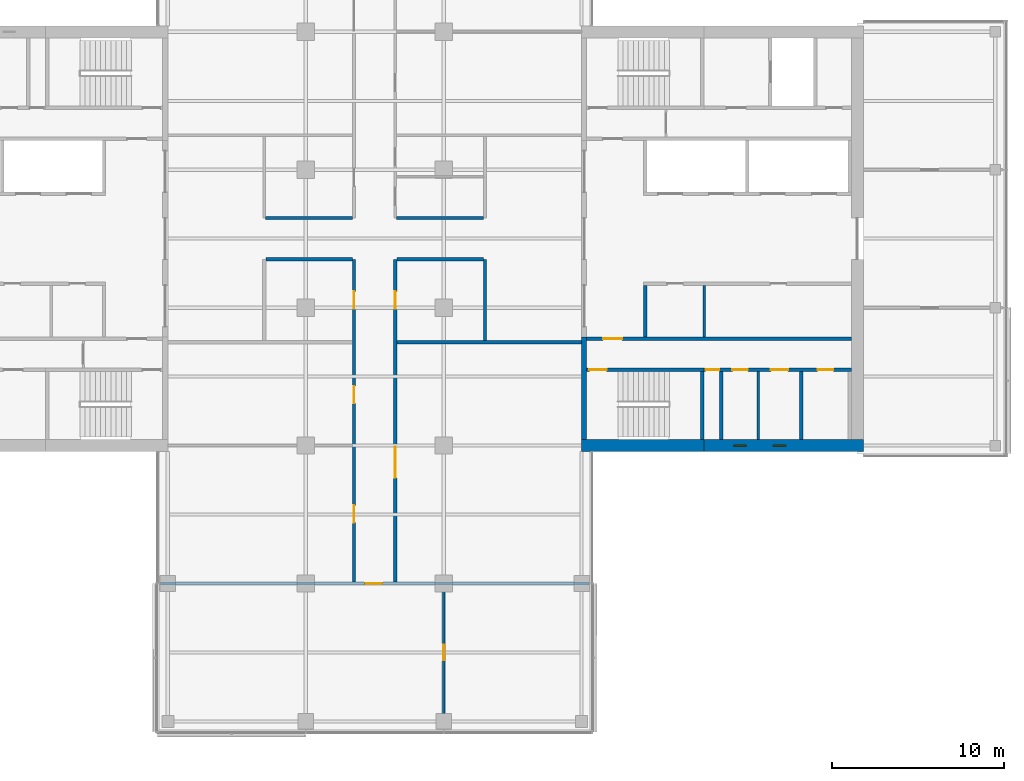
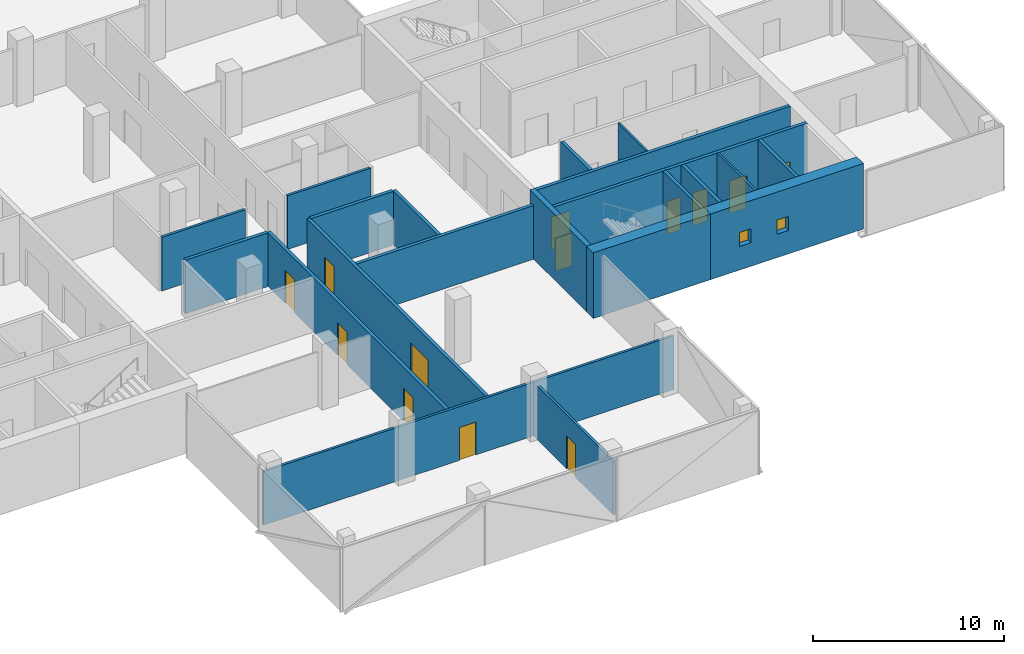
# One storey, part 14 of 22: 22 walls, 13 doors, 2 windows, 15 openings.
"""IFC4 building model written with IfcOpenShell, lengths in metres."""

from ifc_helpers import new_model, si_unit, direction, frame, frame_2d, origin, place, context, subcontext, project, spatial, rectangle, extrude, material, layer, layer_set, constituent, constituent_set, type_object, element, fill, save


model = new_model("IFC4")

# Units and contexts
model_context = context("Model", 3, precision=1e-05, world=origin(), true_north=direction((0.0, 1.0)))
body_context = subcontext(model_context, "Body", "Model", "MODEL_VIEW")
ifc_project = project(units=[si_unit("LENGTHUNIT", "METRE"), si_unit("AREAUNIT", "SQUARE_METRE"), si_unit("VOLUMEUNIT", "CUBIC_METRE"), si_unit("PLANEANGLEUNIT", "RADIAN"), si_unit("MASSUNIT", "GRAM", prefix="KILO")], contexts=[model_context])

# Site, building, storey
site_placement = place(None, origin())
site = spatial("IfcSite", under=ifc_project, at=site_placement, CompositionType="ELEMENT")
building_placement = place(site_placement, origin())
building = spatial("IfcBuilding", under=site, at=building_placement, Name="Crosswind Convention Tower", CompositionType="ELEMENT")
storey_placement = place(building_placement, frame((0.0, 0.0, 142.10009765625)))
storey = spatial("IfcBuildingStorey", under=building, at=storey_placement, Name="L29", CompositionType="ELEMENT", Elevation=142.10009765625)

# Wall
ifc_material_1 = material(Name="Concrete blockwork", Category="masonry")
ifc_layer_1 = layer(ifc_material_1, 0.199951171875)
ifc_layer_set_1 = layer_set([ifc_layer_1], Name="Blockwork partition wall 200")
wall_type_1 = type_object("IfcWallType", Name="Blockwork partition wall 200", PredefinedType="PARTITIONING", material=ifc_layer_set_1)
wall_1_placement = place(storey_placement, frame((145.10009765625, 88.35009765625, 0.0), z_axis=(0.0, 0.0, 1.0), x_axis=(0.0, 1.0, 0.0)))
element("IfcWall", 1, at=wall_1_placement, inside=storey, type_object=wall_type_1, Name="Wall MRSE E L29", PredefinedType="PARTITIONING", context=body_context, shape_type="SweptSolid", body=[
    extrude(rectangle(XDim=3.949951171875, YDim=0.199951171875, at=frame_2d((1.97509765625, 0.0))), origin(), (0.0, 0.0, 1.0), 4.199951171875),
])

# Wall, openings, doors
ifc_layer_2 = layer(ifc_material_1, 0.199951171875)
ifc_layer_set_2 = layer_set([ifc_layer_2], Name="COMPARTMENT WALL 200 BLOCKWORK")
wall_type_2 = type_object("IfcWallType", Name="COMPARTMENT WALL 200 BLOCKWORK", PredefinedType="SOLIDWALL", material=ifc_layer_set_2)
wall_2_placement = place(storey_placement, frame((123.800048828125, 80.074951171875, 0.0), z_axis=(0.0, 0.0, 1.0), x_axis=(0.0, 1.0, 0.0)))
wall_2 = element("IfcWall", 2, at=wall_2_placement, inside=storey, type_object=wall_type_2, Name="Compartment wall WT42", PredefinedType="SOLIDWALL", context=body_context, shape_type="SweptSolid", body=[
    extrude(rectangle(XDim=18.72509765625, YDim=0.199951171875, at=frame_2d((9.362548828125, 0.0))), origin(), (0.0, 0.0, 1.0), 3.436279296875),
])
opening_1_placement = place(wall_2_placement, frame((15.875, 0.0, 0.0)))
opening_1 = element("IfcOpeningElement", 3, at=opening_1_placement, cuts=wall_2, Name="Opening L29-58", PredefinedType="OPENING", context=body_context, shape_type="SweptSolid", body=[
    extrude(rectangle(XDim=1.0, YDim=2.10009765625, at=frame_2d((0.5, 1.050048828125))), frame((0.0, 0.10986328125, 0.0), z_axis=(0.0, -1.0, 0.0), x_axis=(1.0, 0.0, 0.0)), (0.0, 0.0, 1.0), 0.219970703125),
])
opening_2_placement = place(wall_2_placement, frame((10.375, 0.0, 0.0)))
opening_2 = element("IfcOpeningElement", 4, at=opening_2_placement, cuts=wall_2, Name="Opening L29-59", PredefinedType="OPENING", context=body_context, shape_type="SweptSolid", body=[
    extrude(rectangle(XDim=1.0, YDim=2.10009765625, at=frame_2d((0.5, 1.050048828125))), frame((0.0, 0.10986328125, 0.0), z_axis=(0.0, -1.0, 0.0), x_axis=(1.0, 0.0, 0.0)), (0.0, 0.0, 1.0), 0.219970703125),
])
opening_3_placement = place(wall_2_placement, frame((3.449951171875, 0.0, 0.0)))
opening_3 = element("IfcOpeningElement", 5, at=opening_3_placement, cuts=wall_2, Name="Opening L29-60", PredefinedType="OPENING", context=body_context, shape_type="SweptSolid", body=[
    extrude(rectangle(XDim=1.0, YDim=2.10009765625, at=frame_2d((0.5, 1.050048828125))), frame((0.0, 0.10986328125, 0.0), z_axis=(0.0, -1.0, 0.0), x_axis=(1.0, 0.0, 0.0)), (0.0, 0.0, 1.0), 0.219970703125),
])
ifc_material_2 = material(Name="Steel fire door", Category="steel")
door_type_1 = type_object("IfcDoorType", Name="PLANT ROOM DOOR 1000X2100 FD60", OperationType="NOTDEFINED", PredefinedType="DOOR", material=ifc_material_2)
door_1_placement = place(opening_1_placement, origin())
door_1 = element("IfcDoor", 6, at=door_1_placement, inside=storey, type_object=door_type_1, Name="Door L29-58", ObjectType="D43", OperationType="SINGLE_SWING_RIGHT", OverallHeight=2.10009765625, OverallWidth=1.0, PredefinedType="DOOR", context=body_context, shape_type="SweptSolid", body=[
    extrude(rectangle(XDim=1.0, YDim=2.10009765625, at=frame_2d((0.5, 1.050048828125))), frame((0.0, 0.02490234375, 0.0), z_axis=(0.0, -1.0, 0.0), x_axis=(1.0, 0.0, 0.0)), (0.0, 0.0, 1.0), 0.050048828125),
])
fill(opening_1, door_1)
ifc_material_3 = material(Name="Timber fire door", Category="wood")
door_type_2 = type_object("IfcDoorType", Name="TENANCY ENTRANCE DOOR 1000X2100 FD30S", OperationType="NOTDEFINED", PredefinedType="DOOR", material=ifc_material_3)
door_2_placement = place(opening_2_placement, origin())
door_2 = element("IfcDoor", 7, at=door_2_placement, inside=storey, type_object=door_type_2, Name="Door L29-59", ObjectType="D41", OperationType="SINGLE_SWING_RIGHT", OverallHeight=2.10009765625, OverallWidth=1.0, PredefinedType="DOOR", context=body_context, shape_type="SweptSolid", body=[
    extrude(rectangle(XDim=1.0, YDim=2.10009765625, at=frame_2d((0.5, 1.050048828125))), frame((0.0, 0.02490234375, 0.0), z_axis=(0.0, -1.0, 0.0), x_axis=(1.0, 0.0, 0.0)), (0.0, 0.0, 1.0), 0.050048828125),
])
fill(opening_2, door_2)
door_3_placement = place(opening_3_placement, origin())
door_3 = element("IfcDoor", 8, at=door_3_placement, inside=storey, type_object=door_type_2, Name="Door L29-60", ObjectType="D41", OperationType="SINGLE_SWING_RIGHT", OverallHeight=2.10009765625, OverallWidth=1.0, PredefinedType="DOOR", context=body_context, shape_type="SweptSolid", body=[
    extrude(rectangle(XDim=1.0, YDim=2.10009765625, at=frame_2d((0.5, 1.050048828125))), frame((0.0, 0.02490234375, 0.0), z_axis=(0.0, -1.0, 0.0), x_axis=(1.0, 0.0, 0.0)), (0.0, 0.0, 1.0), 0.050048828125),
])
fill(opening_3, door_3)

wall_3_placement = place(storey_placement, frame((126.199951171875, 80.074951171875, 0.0), z_axis=(0.0, 0.0, 1.0), x_axis=(0.0, 1.0, 0.0)))
wall_3 = element("IfcWall", 9, at=wall_3_placement, inside=storey, type_object=wall_type_2, Name="Compartment wall WT42", PredefinedType="SOLIDWALL", context=body_context, shape_type="SweptSolid", body=[
    extrude(rectangle(XDim=18.72509765625, YDim=0.199951171875, at=frame_2d((9.362548828125, 0.0))), origin(), (0.0, 0.0, 1.0), 3.436279296875),
])
opening_4_placement = place(wall_3_placement, frame((15.875, 0.0, 0.0)))
opening_4 = element("IfcOpeningElement", 10, at=opening_4_placement, cuts=wall_3, Name="Opening L29-54", PredefinedType="OPENING", context=body_context, shape_type="SweptSolid", body=[
    extrude(rectangle(XDim=1.0, YDim=2.10009765625, at=frame_2d((0.5, 1.050048828125))), frame((0.0, 0.10986328125, 0.0), z_axis=(0.0, -1.0, 0.0), x_axis=(1.0, 0.0, 0.0)), (0.0, 0.0, 1.0), 0.219970703125),
])
opening_5_placement = place(wall_3_placement, frame((6.050048828125, 0.0, 0.0)))
opening_5 = element("IfcOpeningElement", 11, at=opening_5_placement, cuts=wall_3, Name="Opening L29-55", PredefinedType="OPENING", context=body_context, shape_type="SweptSolid", body=[
    extrude(rectangle(XDim=1.800048828125, YDim=2.10009765625, at=frame_2d((0.89990234375, 1.050048828125))), frame((0.0, 0.10986328125, 0.0), z_axis=(0.0, -1.0, 0.0), x_axis=(1.0, 0.0, 0.0)), (0.0, 0.0, 1.0), 0.219970703125),
])
door_4_placement = place(opening_4_placement, frame((1.0, 0.0, 0.0), z_axis=(0.0, 0.0, 1.0), x_axis=(-1.0, 0.0, 0.0)))
door_4 = element("IfcDoor", 12, at=door_4_placement, inside=storey, type_object=door_type_1, Name="Door L29-54", ObjectType="D43", OperationType="SINGLE_SWING_LEFT", OverallHeight=2.10009765625, OverallWidth=1.0, PredefinedType="DOOR", context=body_context, shape_type="SweptSolid", body=[
    extrude(rectangle(XDim=1.0, YDim=2.10009765625, at=frame_2d((0.5, 1.050048828125))), frame((0.0, 0.02490234375, 0.0), z_axis=(0.0, -1.0, 0.0), x_axis=(1.0, 0.0, 0.0)), (0.0, 0.0, 1.0), 0.050048828125),
])
fill(opening_4, door_4)
door_type_3 = type_object("IfcDoorType", Name="TENANCY ENTRANCE DOUBLE DOOR 1800X2100 FD30S", OperationType="DOUBLE_DOOR_SINGLE_SWING", PredefinedType="DOOR", material=ifc_material_3)
door_5_placement = place(opening_5_placement, frame((1.800048828125, 0.0, 0.0), z_axis=(0.0, 0.0, 1.0), x_axis=(-1.0, 0.0, 0.0)))
door_5 = element("IfcDoor", 13, at=door_5_placement, inside=storey, type_object=door_type_3, Name="Door L29-55", ObjectType="D42", OperationType="DOUBLE_DOOR_SINGLE_SWING", OverallHeight=2.10009765625, OverallWidth=1.800048828125, PredefinedType="DOOR", context=body_context, shape_type="SweptSolid", body=[
    extrude(rectangle(XDim=1.800048828125, YDim=2.10009765625, at=frame_2d((0.89990234375, 1.050048828125))), frame((0.0, 0.02490234375, 0.0), z_axis=(0.0, -1.0, 0.0), x_axis=(1.0, 0.0, 0.0)), (0.0, 0.0, 1.0), 0.050048828125),
])
fill(opening_5, door_5)

# Walls
wall_4_placement = place(storey_placement, frame((131.39990234375, 94.10009765625, 0.0), z_axis=(0.0, 0.0, 1.0), x_axis=(0.0, 1.0, 0.0)))
element("IfcWall", 14, at=wall_4_placement, inside=storey, type_object=wall_type_2, Name="Compartment wall WT42", PredefinedType="SOLIDWALL", context=body_context, shape_type="SweptSolid", body=[
    extrude(rectangle(XDim=4.699951171875, YDim=0.199951171875, at=frame_2d((2.35009765625, 0.0))), origin(), (0.0, 0.0, 1.0), 3.436279296875),
])
wall_5_placement = place(storey_placement, frame((126.300048828125, 94.0, 0.0), z_axis=(0.0, 0.0, 1.0), x_axis=(1.0, 0.0, 0.0)))
element("IfcWall", 15, at=wall_5_placement, inside=storey, type_object=wall_type_2, Name="Compartment wall WT42", PredefinedType="SOLIDWALL", context=body_context, shape_type="SweptSolid", body=[
    extrude(rectangle(XDim=10.699951171875, YDim=0.199951171875, at=frame_2d((5.35009765625, 0.0))), origin(), (0.0, 0.0, 1.0), 3.436279296875),
])
for number, where, z_axis, x_axis, name in (
    (16, (118.699951171875, 98.800048828125, 0.0), (0.0, 0.0, 1.0), (1.0, 0.0, 0.0), "Compartment wall WT42"),
    (17, (126.300048828125, 98.800048828125, 0.0), (0.0, 0.0, 1.0), (1.0, 0.0, 0.0), "Compartment wall WT42"),
):
    element("IfcWall", number, at=place(storey_placement, frame(where, z_axis=z_axis, x_axis=x_axis)), inside=storey, type_object=wall_type_2, Name=name, PredefinedType="SOLIDWALL", context=body_context, shape_type="SweptSolid", body=[
        extrude(rectangle(XDim=5.0, YDim=0.199951171875, at=frame_2d((2.5, 0.0))), origin(), (0.0, 0.0, 1.0), 3.436279296875),
    ])
ifc_material_4 = material(Name="Concrete C50/60", Category="concrete")
ifc_layer_3 = layer(ifc_material_4, 0.300048828125)
ifc_layer_set_3 = layer_set([ifc_layer_3], Name="Concrete C50/60")
wall_type_3 = type_object("IfcWallType", Name="Concrete inner core wall 300", PredefinedType="SHEAR", material=ifc_layer_set_3)
wall_6_placement = place(storey_placement, frame((137.14990234375, 88.35009765625, 0.0), z_axis=(0.0, 0.0, 1.0), x_axis=(0.0, 1.0, 0.0)))
element("IfcWall", 18, at=wall_6_placement, inside=storey, type_object=wall_type_3, Name="Wall EM E L29", PredefinedType="SHEAR", context=body_context, shape_type="SweptSolid", body=[
    extrude(rectangle(XDim=5.949951171875, YDim=0.300048828125, at=frame_2d((2.97509765625, 0.0))), origin(), (0.0, 0.0, 1.0), 4.199951171875),
])
ifc_layer_4 = layer(ifc_material_4, 0.199951171875)
ifc_layer_set_4 = layer_set([ifc_layer_4], Name="Concrete C50/60")
wall_type_4 = type_object("IfcWallType", Name="Concrete shaft and stair wall 200", PredefinedType="SHEAR", material=ifc_layer_set_4)
wall_7_placement = place(storey_placement, frame((140.699951171875, 94.300048828125, 0.0), z_axis=(0.0, 0.0, 1.0), x_axis=(0.0, 1.0, 0.0)))
element("IfcWall", 19, at=wall_7_placement, inside=storey, type_object=wall_type_4, Name="Wall RMEND E L29", PredefinedType="SHEAR", context=body_context, shape_type="SweptSolid", body=[
    extrude(rectangle(XDim=3.0, YDim=0.199951171875, at=frame_2d((1.5, 0.0))), origin(), (0.0, 0.0, 1.0), 4.199951171875),
])

# Wall, opening, door
wall_8_placement = place(storey_placement, frame((137.300048828125, 94.199951171875, 0.0), z_axis=(0.0, 0.0, 1.0), x_axis=(1.0, 0.0, 0.0)))
wall_8 = element("IfcWall", 20, at=wall_8_placement, inside=storey, type_object=wall_type_4, Name="Wall HM E L29", PredefinedType="SHEAR", context=body_context, shape_type="SweptSolid", body=[
    extrude(rectangle(XDim=15.349853515625, YDim=0.199951171875, at=frame_2d((7.6748046875, 0.0))), origin(), (0.0, 0.0, 1.0), 4.199951171875),
])
opening_6_placement = place(wall_8_placement, frame((0.949951171875, 0.0, 0.0)))
opening_6 = element("IfcOpeningElement", 21, at=opening_6_placement, cuts=wall_8, Name="Opening D104", PredefinedType="OPENING", context=body_context, shape_type="SweptSolid", body=[
    extrude(rectangle(XDim=1.10009765625, YDim=2.10009765625, at=frame_2d((0.550048828125, 1.050048828125))), frame((0.0, 0.10986328125, 0.0), z_axis=(0.0, -1.0, 0.0), x_axis=(1.0, 0.0, 0.0)), (0.0, 0.0, 1.0), 0.219970703125),
])
door_type_4 = type_object("IfcDoorType", Name="Fire-rated single door 1100x2100", OperationType="NOTDEFINED", PredefinedType="DOOR", material=ifc_material_2)
door_6_placement = place(opening_6_placement, origin())
door_6 = element("IfcDoor", 22, at=door_6_placement, inside=storey, type_object=door_type_4, Name="Corridor door L29", ObjectType="D104", OperationType="SINGLE_SWING_LEFT", OverallHeight=2.10009765625, OverallWidth=1.10009765625, PredefinedType="DOOR", context=body_context, shape_type="SweptSolid", body=[
    extrude(rectangle(XDim=1.10009765625, YDim=2.10009765625, at=frame_2d((0.550048828125, 1.050048828125))), frame((0.0, 0.02490234375, 0.0), z_axis=(0.0, -1.0, 0.0), x_axis=(1.0, 0.0, 0.0)), (0.0, 0.0, 1.0), 0.050048828125),
])
fill(opening_6, door_6)

# Walls
for number, where, z_axis, x_axis, name in (
    (23, (144.0, 88.35009765625, 0.0), (0.0, 0.0, 1.0), (0.0, 1.0, 0.0), "Wall MSE E L29"),
    (24, (149.75, 88.35009765625, 0.0), (0.0, 0.0, 1.0), (0.0, 1.0, 0.0), "Wall MFSW E L29"),
):
    element("IfcWall", number, at=place(storey_placement, frame(where, z_axis=z_axis, x_axis=x_axis)), inside=storey, type_object=wall_type_4, Name=name, PredefinedType="SHEAR", context=body_context, shape_type="SweptSolid", body=[
        extrude(rectangle(XDim=3.949951171875, YDim=0.199951171875, at=frame_2d((1.97509765625, 0.0))), origin(), (0.0, 0.0, 1.0), 4.199951171875),
    ])

# Wall, opening, door
wall_9_placement = place(storey_placement, frame((137.300048828125, 92.39990234375, 0.0), z_axis=(0.0, 0.0, 1.0), x_axis=(1.0, 0.0, 0.0)))
wall_9 = element("IfcWall", 25, at=wall_9_placement, inside=storey, type_object=wall_type_4, Name="Wall MCW E L29", PredefinedType="SHEAR", context=body_context, shape_type="SweptSolid", body=[
    extrude(rectangle(XDim=6.800048828125, YDim=0.199951171875, at=frame_2d((3.39990234375, 0.0))), origin(), (0.0, 0.0, 1.0), 4.199951171875),
])
opening_7_placement = place(wall_9_placement, frame((0.14990234375, 0.0, 0.0)))
opening_7 = element("IfcOpeningElement", 26, at=opening_7_placement, cuts=wall_9, Name="Opening D103", PredefinedType="OPENING", context=body_context, shape_type="SweptSolid", body=[
    extrude(rectangle(XDim=1.0, YDim=2.10009765625, at=frame_2d((0.5, 1.050048828125))), frame((0.0, 0.10986328125, 0.0), z_axis=(0.0, -1.0, 0.0), x_axis=(1.0, 0.0, 0.0)), (0.0, 0.0, 1.0), 0.219970703125),
])
door_type_5 = type_object("IfcDoorType", Name="Fire-rated single door 1000x2100", OperationType="NOTDEFINED", PredefinedType="DOOR", material=ifc_material_2)
door_7_placement = place(opening_7_placement, frame((1.0, 0.0, 0.0), z_axis=(0.0, 0.0, 1.0), x_axis=(-1.0, 0.0, 0.0)))
door_7 = element("IfcDoor", 27, at=door_7_placement, inside=storey, type_object=door_type_5, Name="Stair ST2 door L29", ObjectType="D103", OperationType="SINGLE_SWING_RIGHT", OverallHeight=2.10009765625, OverallWidth=1.0, PredefinedType="DOOR", context=body_context, shape_type="SweptSolid", body=[
    extrude(rectangle(XDim=1.0, YDim=2.10009765625, at=frame_2d((0.5, 1.050048828125))), frame((0.0, 0.02490234375, 0.0), z_axis=(0.0, -1.0, 0.0), x_axis=(1.0, 0.0, 0.0)), (0.0, 0.0, 1.0), 0.050048828125),
])
fill(opening_7, door_7)

# Wall, openings, doors
wall_10_placement = place(storey_placement, frame((144.10009765625, 92.39990234375, 0.0), z_axis=(0.0, 0.0, 1.0), x_axis=(1.0, 0.0, 0.0)))
wall_10 = element("IfcWall", 28, at=wall_10_placement, inside=storey, type_object=wall_type_4, Name="Wall MCX E L29", PredefinedType="SHEAR", context=body_context, shape_type="SweptSolid", body=[
    extrude(rectangle(XDim=8.5498046875, YDim=0.199951171875, at=frame_2d((4.27490234375, 0.0))), origin(), (0.0, 0.0, 1.0), 4.199951171875),
])
opening_8_placement = place(wall_10_placement, frame((0.10009765625, 0.0, 0.0)))
opening_8 = element("IfcOpeningElement", 29, at=opening_8_placement, cuts=wall_10, Name="Opening D105", PredefinedType="OPENING", context=body_context, shape_type="SweptSolid", body=[
    extrude(rectangle(XDim=0.800048828125, YDim=2.10009765625, at=frame_2d((0.39990234375, 1.050048828125))), frame((0.0, 0.10986328125, 0.0), z_axis=(0.0, -1.0, 0.0), x_axis=(1.0, 0.0, 0.0)), (0.0, 0.0, 1.0), 0.219970703125),
])
opening_9_placement = place(wall_10_placement, frame((1.642333984375, 0.0, 0.0)))
opening_9 = element("IfcOpeningElement", 30, at=opening_9_placement, cuts=wall_10, Name="Opening D106", PredefinedType="OPENING", context=body_context, shape_type="SweptSolid", body=[
    extrude(rectangle(XDim=0.89990234375, YDim=2.10009765625, at=frame_2d((0.449951171875, 1.050048828125))), frame((0.0, 0.10986328125, 0.0), z_axis=(0.0, -1.0, 0.0), x_axis=(1.0, 0.0, 0.0)), (0.0, 0.0, 1.0), 0.219970703125),
])
opening_10_placement = place(wall_10_placement, frame((3.879638671875, 0.0, 0.0)))
opening_10 = element("IfcOpeningElement", 31, at=opening_10_placement, cuts=wall_10, Name="Opening D103", PredefinedType="OPENING", context=body_context, shape_type="SweptSolid", body=[
    extrude(rectangle(XDim=1.0, YDim=2.10009765625, at=frame_2d((0.5, 1.050048828125))), frame((0.0, 0.10986328125, 0.0), z_axis=(0.0, -1.0, 0.0), x_axis=(1.0, 0.0, 0.0)), (0.0, 0.0, 1.0), 0.219970703125),
])
opening_11_placement = place(wall_10_placement, frame((6.60009765625, 0.0, 0.0)))
opening_11 = element("IfcOpeningElement", 32, at=opening_11_placement, cuts=wall_10, Name="Opening D106", PredefinedType="OPENING", context=body_context, shape_type="SweptSolid", body=[
    extrude(rectangle(XDim=0.89990234375, YDim=2.10009765625, at=frame_2d((0.449951171875, 1.050048828125))), frame((0.0, 0.10986328125, 0.0), z_axis=(0.0, -1.0, 0.0), x_axis=(1.0, 0.0, 0.0)), (0.0, 0.0, 1.0), 0.219970703125),
])
door_8_placement = place(opening_10_placement, frame((1.0, 0.0, 0.0), z_axis=(0.0, 0.0, 1.0), x_axis=(-1.0, 0.0, 0.0)))
door_8 = element("IfcDoor", 33, at=door_8_placement, inside=storey, type_object=door_type_5, Name="Door to accessible wc L29", ObjectType="D103", OperationType="SINGLE_SWING_LEFT", OverallHeight=2.10009765625, OverallWidth=1.0, PredefinedType="DOOR", context=body_context, shape_type="SweptSolid", body=[
    extrude(rectangle(XDim=1.0, YDim=2.10009765625, at=frame_2d((0.5, 1.050048828125))), frame((0.0, 0.02490234375, 0.0), z_axis=(0.0, -1.0, 0.0), x_axis=(1.0, 0.0, 0.0)), (0.0, 0.0, 1.0), 0.050048828125),
])
fill(opening_10, door_8)
door_type_6 = type_object("IfcDoorType", Name="Riser access door 800x2100", OperationType="NOTDEFINED", PredefinedType="DOOR", material=ifc_material_2)
door_9_placement = place(opening_8_placement, frame((0.800048828125, 0.0, 0.0), z_axis=(0.0, 0.0, 1.0), x_axis=(-1.0, 0.0, 0.0)))
door_9 = element("IfcDoor", 34, at=door_9_placement, inside=storey, type_object=door_type_6, Name="Riser door L29", ObjectType="D105", OperationType="SINGLE_SWING_LEFT", OverallHeight=2.10009765625, OverallWidth=0.800048828125, PredefinedType="DOOR", context=body_context, shape_type="SweptSolid", body=[
    extrude(rectangle(XDim=0.800048828125, YDim=2.10009765625, at=frame_2d((0.39990234375, 1.050048828125))), frame((0.0, 0.02490234375, 0.0), z_axis=(0.0, -1.0, 0.0), x_axis=(1.0, 0.0, 0.0)), (0.0, 0.0, 1.0), 0.050048828125),
])
fill(opening_8, door_9)
ifc_material_5 = material(Name="Timber door", Category="wood")
door_type_7 = type_object("IfcDoorType", Name="Single leaf door 900x2100", OperationType="NOTDEFINED", PredefinedType="DOOR", material=ifc_material_5)
door_10_placement = place(opening_9_placement, frame((0.89990234375, 0.0, 0.0), z_axis=(0.0, 0.0, 1.0), x_axis=(-1.0, 0.0, 0.0)))
door_10 = element("IfcDoor", 35, at=door_10_placement, inside=storey, type_object=door_type_7, Name="Door to wc L29", ObjectType="D106", OperationType="SINGLE_SWING_LEFT", OverallHeight=2.10009765625, OverallWidth=0.89990234375, PredefinedType="DOOR", context=body_context, shape_type="SweptSolid", body=[
    extrude(rectangle(XDim=0.89990234375, YDim=2.10009765625, at=frame_2d((0.449951171875, 1.050048828125))), frame((0.0, 0.02490234375, 0.0), z_axis=(0.0, -1.0, 0.0), x_axis=(1.0, 0.0, 0.0)), (0.0, 0.0, 1.0), 0.050048828125),
])
fill(opening_9, door_10)
door_11_placement = place(opening_11_placement, frame((0.89990234375, 0.0, 0.0), z_axis=(0.0, 0.0, 1.0), x_axis=(-1.0, 0.0, 0.0)))
door_11 = element("IfcDoor", 36, at=door_11_placement, inside=storey, type_object=door_type_7, Name="Door to accessible wc L29", ObjectType="D106", OperationType="SINGLE_SWING_LEFT", OverallHeight=2.10009765625, OverallWidth=0.89990234375, PredefinedType="DOOR", context=body_context, shape_type="SweptSolid", body=[
    extrude(rectangle(XDim=0.89990234375, YDim=2.10009765625, at=frame_2d((0.449951171875, 1.050048828125))), frame((0.0, 0.02490234375, 0.0), z_axis=(0.0, -1.0, 0.0), x_axis=(1.0, 0.0, 0.0)), (0.0, 0.0, 1.0), 0.050048828125),
])
fill(opening_11, door_11)

# Walls
ifc_material_6 = material(Name="Gypsum plasterboard partition", Category="gypsum")
ifc_layer_5 = layer(ifc_material_6, 0.125)
ifc_layer_set_5 = layer_set([ifc_layer_5], Name="Drywall partition wall 125")
wall_type_5 = type_object("IfcWallType", Name="Drywall partition wall 125", PredefinedType="PARTITIONING", material=ifc_layer_set_5)
wall_11_placement = place(storey_placement, frame((144.117919921875, 94.300048828125, 0.0), z_axis=(0.0, 0.0, 1.0), x_axis=(0.0, 1.0, 0.0)))
element("IfcWall", 37, at=wall_11_placement, inside=storey, type_object=wall_type_5, Name="Wall RMP1 E L29", PredefinedType="PARTITIONING", context=body_context, shape_type="SweptSolid", body=[
    extrude(rectangle(XDim=3.0, YDim=0.125, at=frame_2d((1.5, 0.0))), origin(), (0.0, 0.0, 1.0), 4.199951171875),
])
wall_12_placement = place(storey_placement, frame((147.2470703125, 88.35009765625, 0.0), z_axis=(0.0, 0.0, 1.0), x_axis=(0.0, 1.0, 0.0)))
element("IfcWall", 38, at=wall_12_placement, inside=storey, type_object=wall_type_5, Name="Wall MWP1 E L29", PredefinedType="PARTITIONING", context=body_context, shape_type="SweptSolid", body=[
    extrude(rectangle(XDim=3.949951171875, YDim=0.125, at=frame_2d((1.97509765625, 0.0))), origin(), (0.0, 0.0, 1.0), 4.199951171875),
])

# Wall, opening, door
ifc_material_7 = material(Name="Fire-board partition with mineral wool", Category="gypsum")
ifc_layer_6 = layer(ifc_material_7, 0.14990234375)
ifc_layer_set_6 = layer_set([ifc_layer_6], Name="TENANCY WALL 150 TWO-HOUR BOARD")
wall_type_6 = type_object("IfcWallType", Name="TENANCY WALL 150 TWO-HOUR BOARD", PredefinedType="PARTITIONING", material=ifc_layer_set_6)
wall_13_placement = place(storey_placement, frame((129.0, 71.580078125, 0.0), z_axis=(0.0, 0.0, 1.0), x_axis=(0.0, 1.0, 0.0)))
wall_13 = element("IfcWall", 39, at=wall_13_placement, inside=storey, type_object=wall_type_6, Name="Tenancy wall WT41", PredefinedType="PARTITIONING", context=body_context, shape_type="SweptSolid", body=[
    extrude(rectangle(XDim=8.344970703125, YDim=0.14990234375, at=frame_2d((4.17236328125, 0.0))), origin(), (0.0, 0.0, 1.0), 3.436279296875),
])
opening_12_placement = place(wall_13_placement, frame((3.969970703125, 0.0, 0.0)))
opening_12 = element("IfcOpeningElement", 40, at=opening_12_placement, cuts=wall_13, Name="Opening L29-63", PredefinedType="OPENING", context=body_context, shape_type="SweptSolid", body=[
    extrude(rectangle(XDim=0.89990234375, YDim=2.10009765625, at=frame_2d((0.449951171875, 1.050048828125))), frame((0.0, 0.0849609375, 0.0), z_axis=(0.0, -1.0, 0.0), x_axis=(1.0, 0.0, 0.0)), (0.0, 0.0, 1.0), 0.169921875),
])
door_type_8 = type_object("IfcDoorType", Name="INTERNAL DOOR 900X2100", OperationType="NOTDEFINED", PredefinedType="DOOR", material=ifc_material_5)
door_12_placement = place(opening_12_placement, frame((0.89990234375, 0.0, 0.0), z_axis=(0.0, 0.0, 1.0), x_axis=(-1.0, 0.0, 0.0)))
door_12 = element("IfcDoor", 41, at=door_12_placement, inside=storey, type_object=door_type_8, Name="Door L29-63", ObjectType="D40", OperationType="SINGLE_SWING_LEFT", OverallHeight=2.10009765625, OverallWidth=0.89990234375, PredefinedType="DOOR", context=body_context, shape_type="SweptSolid", body=[
    extrude(rectangle(XDim=0.89990234375, YDim=2.10009765625, at=frame_2d((0.449951171875, 1.050048828125))), frame((0.0, 0.02490234375, 0.0), z_axis=(0.0, -1.0, 0.0), x_axis=(1.0, 0.0, 0.0)), (0.0, 0.0, 1.0), 0.050048828125),
])
fill(opening_12, door_12)

wall_14_placement = place(storey_placement, frame((112.580078125, 80.0, 0.0), z_axis=(0.0, 0.0, 1.0), x_axis=(1.0, 0.0, 0.0)))
wall_14 = element("IfcWall", 42, at=wall_14_placement, inside=storey, type_object=wall_type_6, Name="Tenancy wall WT41", PredefinedType="PARTITIONING", context=body_context, shape_type="SweptSolid", body=[
    extrude(rectangle(XDim=24.83984375, YDim=0.14990234375, at=frame_2d((12.419921875, 0.0))), origin(), (0.0, 0.0, 1.0), 3.436279296875),
])
opening_13_placement = place(wall_14_placement, frame((11.8701171875, 0.0, 0.0)))
opening_13 = element("IfcOpeningElement", 43, at=opening_13_placement, cuts=wall_14, Name="Opening L29-62", PredefinedType="OPENING", context=body_context, shape_type="SweptSolid", body=[
    extrude(rectangle(XDim=1.0, YDim=2.10009765625, at=frame_2d((0.5, 1.050048828125))), frame((0.0, 0.0849609375, 0.0), z_axis=(0.0, -1.0, 0.0), x_axis=(1.0, 0.0, 0.0)), (0.0, 0.0, 1.0), 0.169921875),
])
door_13_placement = place(opening_13_placement, frame((1.0, 0.0, 0.0), z_axis=(0.0, 0.0, 1.0), x_axis=(-1.0, 0.0, 0.0)))
door_13 = element("IfcDoor", 44, at=door_13_placement, inside=storey, type_object=door_type_2, Name="Door L29-62", ObjectType="D41", OperationType="SINGLE_SWING_RIGHT", OverallHeight=2.10009765625, OverallWidth=1.0, PredefinedType="DOOR", context=body_context, shape_type="SweptSolid", body=[
    extrude(rectangle(XDim=1.0, YDim=2.10009765625, at=frame_2d((0.5, 1.050048828125))), frame((0.0, 0.02490234375, 0.0), z_axis=(0.0, -1.0, 0.0), x_axis=(1.0, 0.0, 0.0)), (0.0, 0.0, 1.0), 0.050048828125),
])
fill(opening_13, door_13)

# Walls
for number, where, z_axis, x_axis, name in (
    (45, (118.675048828125, 101.199951171875, 0.0), (0.0, 0.0, 1.0), (1.0, 0.0, 0.0), "Tenancy wall WT41"),
    (46, (126.27490234375, 101.199951171875, 0.0), (0.0, 0.0, 1.0), (1.0, 0.0, 0.0), "Tenancy wall WT41"),
):
    element("IfcWall", number, at=place(storey_placement, frame(where, z_axis=z_axis, x_axis=x_axis)), inside=storey, type_object=wall_type_6, Name=name, PredefinedType="PARTITIONING", context=body_context, shape_type="SweptSolid", body=[
        extrude(rectangle(XDim=5.050048828125, YDim=0.14990234375, at=frame_2d((2.52490234375, 0.0))), origin(), (0.0, 0.0, 1.0), 3.436279296875),
    ])
ifc_material_8 = material(Name="Concrete C60/75", Category="concrete")
ifc_constituent_1 = constituent(ifc_material_8, Name="Structure")
ifc_material_9 = material(Name="Terracotta rainscreen", Category="ceramic")
ifc_constituent_2 = constituent(ifc_material_9, Name="Facing")
ifc_constituent_set = constituent_set(constituents=[ifc_constituent_1, ifc_constituent_2], Name="Concrete C60/75, Terracotta rainscreen")
wall_type_7 = type_object("IfcWallType", Name="Terracotta rainscreen on concrete core wall 700", PredefinedType="SHEAR", material=ifc_constituent_set)
wall_15_placement = place(storey_placement, frame((137.0, 88.0, 0.0), z_axis=(0.0, 0.0, 1.0), x_axis=(1.0, 0.0, 0.0)))
element("IfcWall", 47, at=wall_15_placement, inside=storey, type_object=wall_type_7, Name="Wall S1 E L29", PredefinedType="SHEAR", context=body_context, shape_type="SweptSolid", body=[
    extrude(rectangle(XDim=7.10009765625, YDim=0.699951171875, at=frame_2d((3.550048828125, 0.0))), origin(), (0.0, 0.0, 1.0), 4.199951171875),
])

# Wall, openings, windows
wall_16_placement = place(storey_placement, frame((144.10009765625, 88.0, 0.0), z_axis=(0.0, 0.0, 1.0), x_axis=(1.0, 0.0, 0.0)))
wall_16 = element("IfcWall", 48, at=wall_16_placement, inside=storey, type_object=wall_type_7, Name="Wall S2 E L29", PredefinedType="SHEAR", context=body_context, shape_type="SweptSolid", body=[
    extrude(rectangle(XDim=9.25, YDim=0.699951171875, at=frame_2d((4.625, 0.0))), origin(), (0.0, 0.0, 1.0), 4.199951171875),
])
opening_14_placement = place(wall_16_placement, frame((1.7421875, 0.0, 1.5)))
opening_14 = element("IfcOpeningElement", 49, at=opening_14_placement, cuts=wall_16, Name="Opening W2", PredefinedType="OPENING", context=body_context, shape_type="SweptSolid", body=[
    extrude(rectangle(XDim=0.699951171875, YDim=0.89990234375, at=frame_2d((0.35009765625, 0.449951171875))), frame((0.0, 0.35986328125, 0.0), z_axis=(0.0, -1.0, 0.0), x_axis=(1.0, 0.0, 0.0)), (0.0, 0.0, 1.0), 0.719970703125),
])
opening_15_placement = place(wall_16_placement, frame((4.02978515625, 0.0, 1.5)))
opening_15 = element("IfcOpeningElement", 50, at=opening_15_placement, cuts=wall_16, Name="Opening W2", PredefinedType="OPENING", context=body_context, shape_type="SweptSolid", body=[
    extrude(rectangle(XDim=0.699951171875, YDim=0.89990234375, at=frame_2d((0.35009765625, 0.449951171875))), frame((0.0, 0.35986328125, 0.0), z_axis=(0.0, -1.0, 0.0), x_axis=(1.0, 0.0, 0.0)), (0.0, 0.0, 1.0), 0.719970703125),
])
ifc_material_10 = material(Name="Obscure glass in aluminium frame", Category="aluminium")
window_type = type_object("IfcWindowType", Name="WC window 700x900", PartitioningType="SINGLE_PANEL", PredefinedType="WINDOW", material=ifc_material_10)
window_1_placement = place(opening_14_placement, origin())
window_1 = element("IfcWindow", 51, at=window_1_placement, inside=storey, type_object=window_type, Name="WC window L29", ObjectType="W2", OverallHeight=0.89990234375, OverallWidth=0.699951171875, PartitioningType="SINGLE_PANEL", PredefinedType="WINDOW", context=body_context, shape_type="SweptSolid", body=[
    extrude(rectangle(XDim=0.699951171875, YDim=0.89990234375, at=frame_2d((0.35009765625, 0.449951171875))), frame((0.0, 0.030029296875, 0.0), z_axis=(0.0, -1.0, 0.0), x_axis=(1.0, 0.0, 0.0)), (0.0, 0.0, 1.0), 0.06005859375),
])
fill(opening_14, window_1)
window_2_placement = place(opening_15_placement, origin())
window_2 = element("IfcWindow", 52, at=window_2_placement, inside=storey, type_object=window_type, Name="WC window L29", ObjectType="W2", OverallHeight=0.89990234375, OverallWidth=0.699951171875, PartitioningType="SINGLE_PANEL", PredefinedType="WINDOW", context=body_context, shape_type="SweptSolid", body=[
    extrude(rectangle(XDim=0.699951171875, YDim=0.89990234375, at=frame_2d((0.35009765625, 0.449951171875))), frame((0.0, 0.030029296875, 0.0), z_axis=(0.0, -1.0, 0.0), x_axis=(1.0, 0.0, 0.0)), (0.0, 0.0, 1.0), 0.06005859375),
])
fill(opening_15, window_2)

save(model, "model.ifc")
